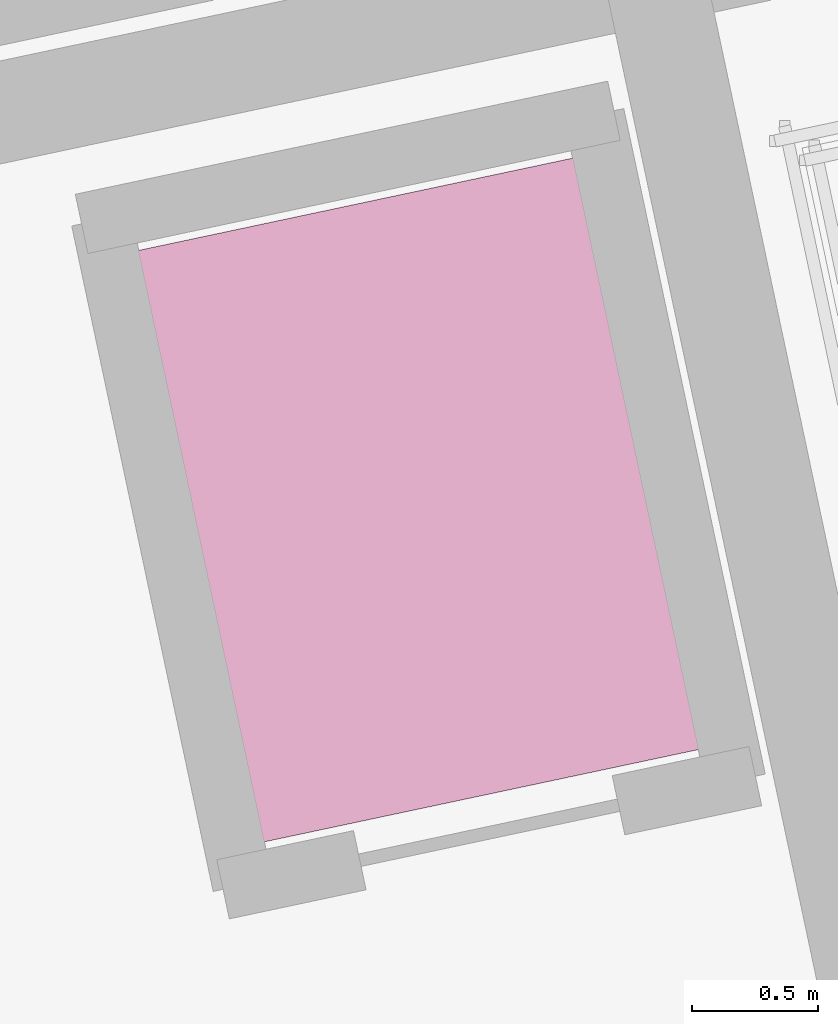
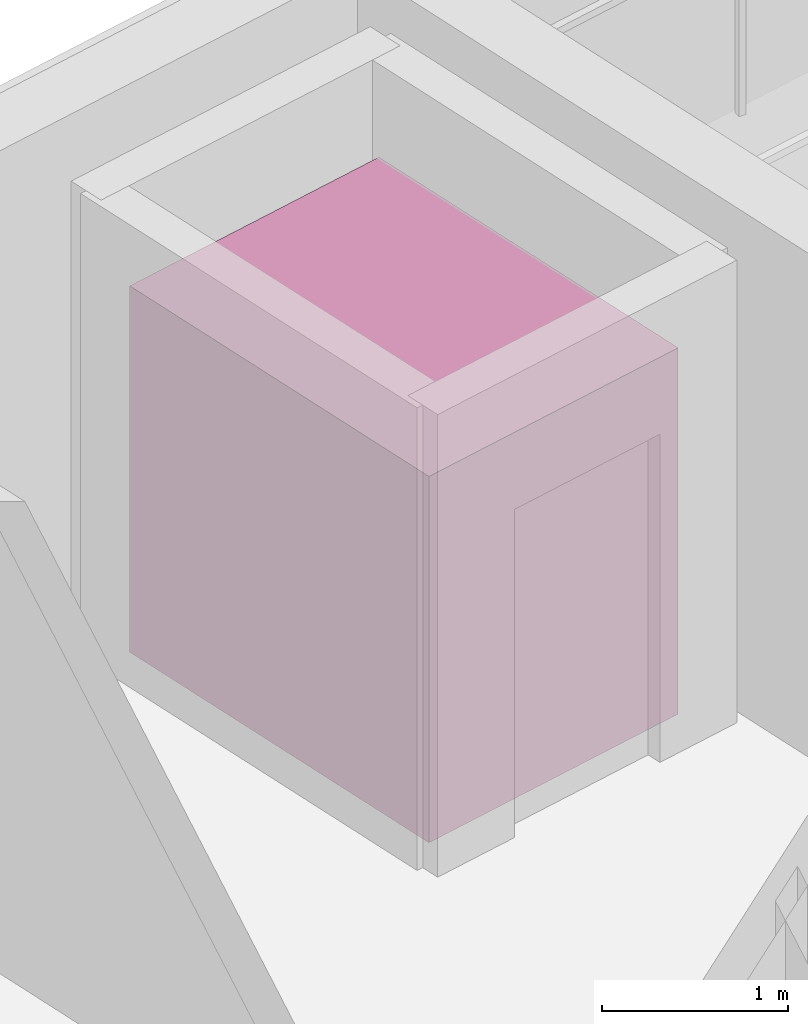
# One storey, part 14 of 14: 1 transport element.
"""IFC4 building model written with IfcOpenShell, lengths in metres."""

from ifc_helpers import new_model, si_unit, direction, frame, origin, origin_2d, place, context, subcontext, project, spatial, rectangle, extrude, material, type_object, element, save


model = new_model("IFC4")

# Units and contexts
model_context = context("Model", 3, precision=1e-05, world=origin(), true_north=direction((0.0, 1.0)))
body_context = subcontext(model_context, "Body", "Model", "MODEL_VIEW")
ifc_project = project(units=[si_unit("LENGTHUNIT", "METRE"), si_unit("AREAUNIT", "SQUARE_METRE"), si_unit("VOLUMEUNIT", "CUBIC_METRE"), si_unit("PLANEANGLEUNIT", "RADIAN"), si_unit("MASSUNIT", "GRAM", prefix="KILO")], contexts=[model_context])

# Site, building, storey
site_placement = place(None, origin())
site = spatial("IfcSite", under=ifc_project, at=site_placement, CompositionType="ELEMENT")
building_placement = place(site_placement, origin())
building = spatial("IfcBuilding", under=site, at=building_placement, Name="Haevon Station Towers", CompositionType="ELEMENT")
storey_placement = place(building_placement, frame((0.0, 0.0, 205.5)))
storey = spatial("IfcBuildingStorey", under=building, at=storey_placement, Name="L56", CompositionType="ELEMENT", Elevation=205.5)

# Transport element
ifc_material = material(Name="Stainless steel cabin assembly", Category="steel")
transport_element_type = type_object("IfcTransportElementType", Name="LFT-PAX1824", PredefinedType="ELEVATOR", material=ifc_material)
transport_element_placement = place(storey_placement, frame((112.498046875, 48.287353515625, 0.0), z_axis=(0.0, 0.0, 1.0), x_axis=(0.978147600734, 0.207911690818, 0.0)))
element("IfcTransportElement", 1, at=transport_element_placement, inside=storey, type_object=transport_element_type, Name="Tower 2 Summit Shuttle Passenger Lift PL10", PredefinedType="ELEVATOR", context=body_context, shape_type="SweptSolid", body=[
    extrude(rectangle(XDim=1.800048828125, YDim=2.39990234375, at=origin_2d()), origin(), (0.0, 0.0, 1.0), 2.39990234375),
])

save(model, "model.ifc")
